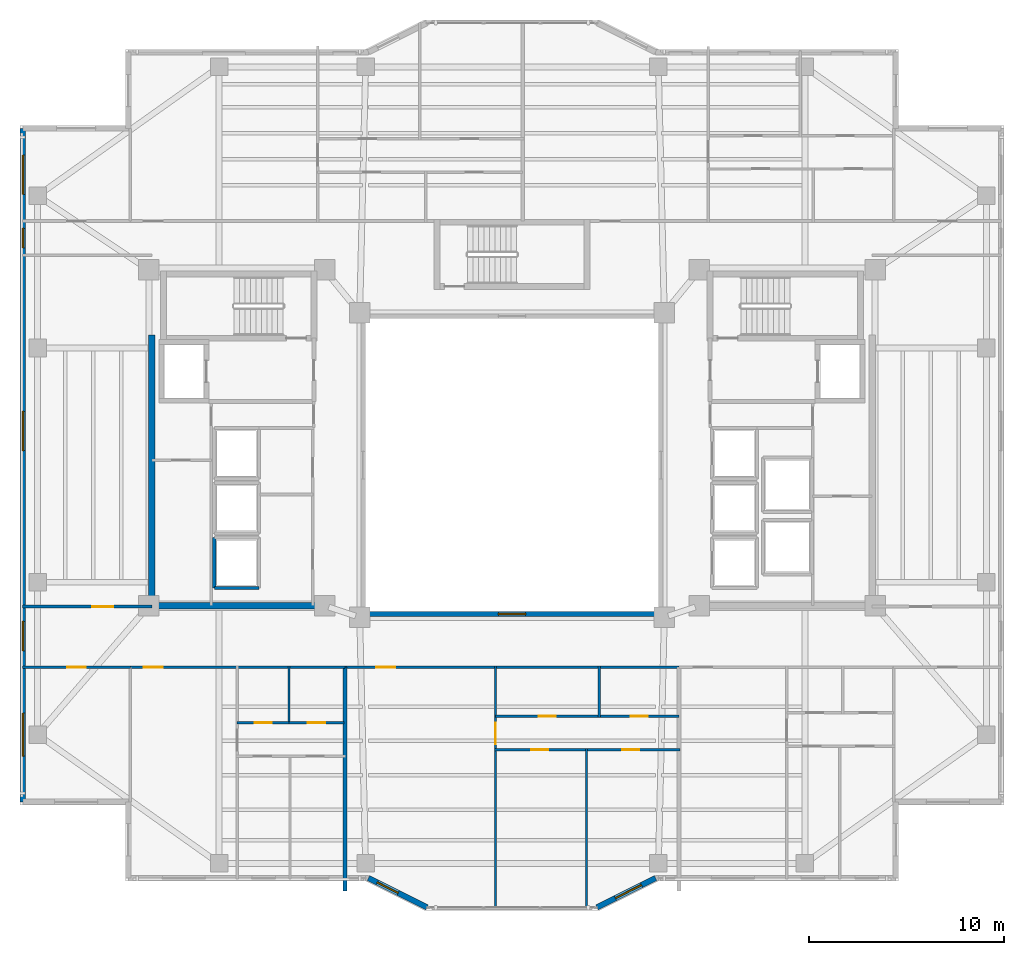
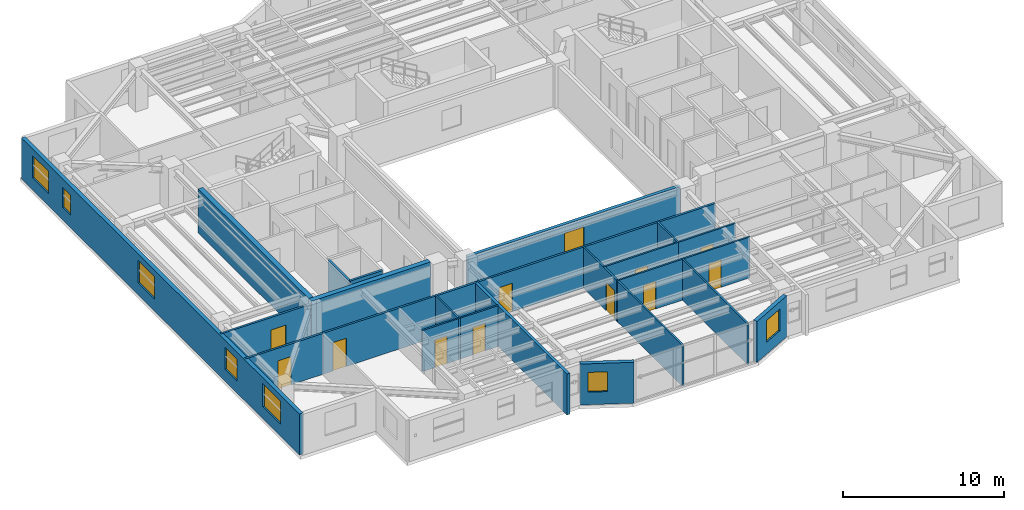
# One storey, part 6 of 15: 22 walls, 11 doors, 8 windows, 19 openings.
"""IFC4 building model written with IfcOpenShell, lengths in metres."""

from ifc_helpers import new_model, si_unit, direction, frame, frame_2d, origin, place, context, subcontext, project, spatial, rectangle, extrude, material, layer, layer_set, type_object, element, fill, save


model = new_model("IFC4")

# Units and contexts
model_context = context("Model", 3, precision=1e-05, world=origin(), true_north=direction((0.0, 1.0)))
body_context = subcontext(model_context, "Body", "Model", "MODEL_VIEW")
ifc_project = project(units=[si_unit("LENGTHUNIT", "METRE"), si_unit("AREAUNIT", "SQUARE_METRE"), si_unit("VOLUMEUNIT", "CUBIC_METRE"), si_unit("PLANEANGLEUNIT", "RADIAN"), si_unit("MASSUNIT", "GRAM", prefix="KILO")], contexts=[model_context])

# Site, building, storey
site_placement = place(None, origin())
site = spatial("IfcSite", under=ifc_project, at=site_placement, CompositionType="ELEMENT")
building_placement = place(site_placement, origin())
building = spatial("IfcBuilding", under=site, at=building_placement, Name="Tarnavaz Court Tower", CompositionType="ELEMENT")
storey_placement = place(building_placement, frame((0.0, 0.0, 159.39990234375)))
storey = spatial("IfcBuildingStorey", under=building, at=storey_placement, Name="L43", CompositionType="ELEMENT", Elevation=159.39990234375)

# Walls
ifc_material_1 = material(Name="Concrete C50/60", Category="concrete")
ifc_layer_1 = layer(ifc_material_1, 0.35009765625)
ifc_layer_set_1 = layer_set([ifc_layer_1], Name="Concrete C50/60")
wall_type_1 = type_object("IfcWallType", Name="WL-CORE-350-C50", PredefinedType="SHEAR", material=ifc_layer_set_1)
wall_1_placement = place(storey_placement, frame((-18.449951171875, -7.375, 0.0), z_axis=(0.0, 0.0, 1.0), x_axis=(0.0, 1.0, 0.0)))
element("IfcWall", 1, at=wall_1_placement, inside=storey, type_object=wall_type_1, Name="L43 West Core Shear Wall 057", PredefinedType="SHEAR", context=body_context, shape_type="SweptSolid", body=[
    extrude(rectangle(XDim=14.050048828125, YDim=0.35009765625, at=frame_2d((7.02490234375, 0.0))), origin(), (0.0, 0.0, 1.0), 3.35009765625),
])
wall_2_placement = place(storey_placement, frame((-18.625, -7.199951171875, 0.0), z_axis=(0.0, 0.0, 1.0), x_axis=(1.0, 0.0, 0.0)))
element("IfcWall", 2, at=wall_2_placement, inside=storey, type_object=wall_type_1, Name="L43 West Core South Shear Wall 058", PredefinedType="SHEAR", context=body_context, shape_type="SweptSolid", body=[
    extrude(rectangle(XDim=8.550048828125, YDim=0.35009765625, at=frame_2d((4.27490234375, 0.0))), origin(), (0.0, 0.0, 1.0), 3.35009765625),
])

# Wall, openings, windows
ifc_material_2 = material(Name="Precast Concrete C40/50", Category="concrete")
ifc_layer_2 = layer(ifc_material_2, 0.280029296875)
ifc_layer_set_2 = layer_set([ifc_layer_2], Name="Precast Concrete C40/50")
wall_type_2 = type_object("IfcWallType", Name="WL-EXT-280", PredefinedType="SOLIDWALL", material=ifc_layer_set_2)
wall_3_placement = place(storey_placement, frame((-25.050048828125, -17.25, 0.0), z_axis=(0.0, 0.0, 1.0), x_axis=(0.0, 1.0, 0.0)))
wall_3 = element("IfcWall", 3, at=wall_3_placement, inside=storey, type_object=wall_type_2, Name="L43 Exterior Terracotta Facade Wall 02", PredefinedType="SOLIDWALL", context=body_context, shape_type="SweptSolid", body=[
    extrude(rectangle(XDim=34.5, YDim=0.280029296875, at=frame_2d((17.25, 0.0))), origin(), (0.0, 0.0, 1.0), 3.10009765625),
])
opening_1_placement = place(wall_3_placement, frame((2.35009765625, 0.0, 0.89990234375)))
opening_1 = element("IfcOpeningElement", 4, at=opening_1_placement, cuts=wall_3, Name="Opening W07", PredefinedType="OPENING", context=body_context, shape_type="SweptSolid", body=[
    extrude(rectangle(XDim=2.199951171875, YDim=1.75, at=frame_2d((1.10009765625, 0.875))), frame((0.0, 0.14990234375, 0.0), z_axis=(0.0, -1.0, 0.0), x_axis=(1.0, 0.0, 0.0)), (0.0, 0.0, 1.0), 0.300048828125),
])
opening_2_placement = place(wall_3_placement, frame((7.742431640625, 0.0, 0.89990234375)))
opening_2 = element("IfcOpeningElement", 5, at=opening_2_placement, cuts=wall_3, Name="Opening W03", PredefinedType="OPENING", context=body_context, shape_type="SweptSolid", body=[
    extrude(rectangle(XDim=1.5, YDim=1.64990234375, at=frame_2d((0.75, 0.824951171875))), frame((0.0, 0.14990234375, 0.0), z_axis=(0.0, -1.0, 0.0), x_axis=(1.0, 0.0, 0.0)), (0.0, 0.0, 1.0), 0.300048828125),
])
opening_3_placement = place(wall_3_placement, frame((18.0, 0.0, 0.89990234375)))
opening_3 = element("IfcOpeningElement", 6, at=opening_3_placement, cuts=wall_3, Name="Opening W08", PredefinedType="OPENING", context=body_context, shape_type="SweptSolid", body=[
    extrude(rectangle(XDim=2.0, YDim=1.699951171875, at=frame_2d((1.0, 0.85009765625))), frame((0.0, 0.14990234375, 0.0), z_axis=(0.0, -1.0, 0.0), x_axis=(1.0, 0.0, 0.0)), (0.0, 0.0, 1.0), 0.300048828125),
])
opening_4_placement = place(wall_3_placement, frame((28.375, 0.0, 0.949951171875)))
opening_4 = element("IfcOpeningElement", 7, at=opening_4_placement, cuts=wall_3, Name="Opening W14", PredefinedType="OPENING", context=body_context, shape_type="SweptSolid", body=[
    extrude(rectangle(XDim=1.0, YDim=1.5, at=frame_2d((0.5, 0.75))), frame((0.0, 0.14990234375, 0.0), z_axis=(0.0, -1.0, 0.0), x_axis=(1.0, 0.0, 0.0)), (0.0, 0.0, 1.0), 0.300048828125),
])
opening_5_placement = place(wall_3_placement, frame((31.125, 0.0, 0.89990234375)))
opening_5 = element("IfcOpeningElement", 8, at=opening_5_placement, cuts=wall_3, Name="Opening W08", PredefinedType="OPENING", context=body_context, shape_type="SweptSolid", body=[
    extrude(rectangle(XDim=2.0, YDim=1.699951171875, at=frame_2d((1.0, 0.85009765625))), frame((0.0, 0.14990234375, 0.0), z_axis=(0.0, -1.0, 0.0), x_axis=(1.0, 0.0, 0.0)), (0.0, 0.0, 1.0), 0.300048828125),
])
ifc_material_3 = material(Name="Double-Glazed Solar Low-E Glass", Category="glass")
window_type_1 = type_object("IfcWindowType", Name="WN-APT-1000", PartitioningType="SINGLE_PANEL", PredefinedType="WINDOW", material=ifc_material_3)
window_1_placement = place(opening_4_placement, origin())
window_1 = element("IfcWindow", 9, at=window_1_placement, inside=storey, type_object=window_type_1, Name="L43 North-West Corner Corridor Window", OverallHeight=1.5, OverallWidth=1.0, PartitioningType="SINGLE_PANEL", PredefinedType="WINDOW", context=body_context, shape_type="SweptSolid", body=[
    extrude(rectangle(XDim=1.0, YDim=1.5, at=frame_2d((0.5, 0.75))), frame((0.0, 0.030029296875, 0.0), z_axis=(0.0, -1.0, 0.0), x_axis=(1.0, 0.0, 0.0)), (0.0, 0.0, 1.0), 0.06005859375),
])
fill(opening_4, window_1)
window_type_2 = type_object("IfcWindowType", Name="WN-APT-1500", PartitioningType="DOUBLE_PANEL_VERTICAL", PredefinedType="WINDOW", material=ifc_material_3)
window_2_placement = place(opening_2_placement, origin())
window_2 = element("IfcWindow", 10, at=window_2_placement, inside=storey, type_object=window_type_2, Name="L43 South-West Corner Corridor Window", OverallHeight=1.64990234375, OverallWidth=1.5, PartitioningType="SINGLE_PANEL", PredefinedType="WINDOW", context=body_context, shape_type="SweptSolid", body=[
    extrude(rectangle(XDim=1.5, YDim=1.64990234375, at=frame_2d((0.75, 0.824951171875))), frame((0.0, 0.030029296875, 0.0), z_axis=(0.0, -1.0, 0.0), x_axis=(1.0, 0.0, 0.0)), (0.0, 0.0, 1.0), 0.06005859375),
])
fill(opening_2, window_2)
window_type_3 = type_object("IfcWindowType", Name="WN-APT-2000", PartitioningType="DOUBLE_PANEL_VERTICAL", PredefinedType="WINDOW", material=ifc_material_3)
window_3_placement = place(opening_3_placement, origin())
window_3 = element("IfcWindow", 11, at=window_3_placement, inside=storey, type_object=window_type_3, Name="L43 West Wing Panoramic Study Gallery Window", OverallHeight=1.699951171875, OverallWidth=2.0, PartitioningType="SINGLE_PANEL", PredefinedType="WINDOW", context=body_context, shape_type="SweptSolid", body=[
    extrude(rectangle(XDim=2.0, YDim=1.699951171875, at=frame_2d((1.0, 0.85009765625))), frame((0.0, 0.030029296875, 0.0), z_axis=(0.0, -1.0, 0.0), x_axis=(1.0, 0.0, 0.0)), (0.0, 0.0, 1.0), 0.06005859375),
])
fill(opening_3, window_3)
window_4_placement = place(opening_5_placement, origin())
window_4 = element("IfcWindow", 12, at=window_4_placement, inside=storey, type_object=window_type_3, Name="L43 North-West Corner Sunroom Study Window", OverallHeight=1.699951171875, OverallWidth=2.0, PartitioningType="SINGLE_PANEL", PredefinedType="WINDOW", context=body_context, shape_type="SweptSolid", body=[
    extrude(rectangle(XDim=2.0, YDim=1.699951171875, at=frame_2d((1.0, 0.85009765625))), frame((0.0, 0.030029296875, 0.0), z_axis=(0.0, -1.0, 0.0), x_axis=(1.0, 0.0, 0.0)), (0.0, 0.0, 1.0), 0.06005859375),
])
fill(opening_5, window_4)
window_type_4 = type_object("IfcWindowType", Name="WN-APT-2200", PartitioningType="TRIPLE_PANEL_VERTICAL", PredefinedType="WINDOW", material=ifc_material_3)
window_5_placement = place(opening_1_placement, origin())
window_5 = element("IfcWindow", 13, at=window_5_placement, inside=storey, type_object=window_type_4, Name="L43 South-West Corner Reading Room Window", OverallHeight=1.75, OverallWidth=2.199951171875, PartitioningType="SINGLE_PANEL", PredefinedType="WINDOW", context=body_context, shape_type="SweptSolid", body=[
    extrude(rectangle(XDim=2.199951171875, YDim=1.75, at=frame_2d((1.10009765625, 0.875))), frame((0.0, 0.030029296875, 0.0), z_axis=(0.0, -1.0, 0.0), x_axis=(1.0, 0.0, 0.0)), (0.0, 0.0, 1.0), 0.06005859375),
])
fill(opening_1, window_5)

# Wall, opening, window
wall_4_placement = place(storey_placement, frame((7.35009765625, -21.14990234375, 0.0), z_axis=(0.0, 0.0, 1.0), x_axis=(-0.894427191, -0.4472135955, 0.0)))
wall_4 = element("IfcWall", 14, at=wall_4_placement, inside=storey, type_object=wall_type_2, Name="L43 Exterior Terracotta Facade Wall 16", PredefinedType="SOLIDWALL", context=body_context, shape_type="SweptSolid", body=[
    extrude(rectangle(XDim=3.35400390625, YDim=0.280029296875, at=frame_2d((1.677001953125, 0.0))), origin(), (0.0, 0.0, 1.0), 3.10009765625),
])
opening_6_placement = place(wall_4_placement, frame((0.796875, 0.0, 0.89990234375)))
opening_6 = element("IfcOpeningElement", 15, at=opening_6_placement, cuts=wall_4, Name="Opening W03", PredefinedType="OPENING", context=body_context, shape_type="SweptSolid", body=[
    extrude(rectangle(XDim=1.5, YDim=1.64990234375, at=frame_2d((0.75, 0.824951171875))), frame((0.0, 0.14990234375, 0.0), z_axis=(0.0, -1.0, 0.0), x_axis=(1.0, 0.0, 0.0)), (0.0, 0.0, 1.0), 0.300048828125),
])
window_6_placement = place(opening_6_placement, origin())
window_6 = element("IfcWindow", 16, at=window_6_placement, inside=storey, type_object=window_type_2, Name="L43 Flat 05 Bedroom 2 Window", OverallHeight=1.64990234375, OverallWidth=1.5, PartitioningType="SINGLE_PANEL", PredefinedType="WINDOW", context=body_context, shape_type="SweptSolid", body=[
    extrude(rectangle(XDim=1.5, YDim=1.64990234375, at=frame_2d((0.75, 0.824951171875))), frame((0.0, 0.030029296875, 0.0), z_axis=(0.0, -1.0, 0.0), x_axis=(1.0, 0.0, 0.0)), (0.0, 0.0, 1.0), 0.06005859375),
])
fill(opening_6, window_6)

wall_5_placement = place(storey_placement, frame((-4.35009765625, -22.64990234375, 0.0), z_axis=(0.0, 0.0, 1.0), x_axis=(-0.894427191, 0.4472135955, 0.0)))
wall_5 = element("IfcWall", 17, at=wall_5_placement, inside=storey, type_object=wall_type_2, Name="L43 Exterior Terracotta Facade Wall 18", PredefinedType="SOLIDWALL", context=body_context, shape_type="SweptSolid", body=[
    extrude(rectangle(XDim=3.35400390625, YDim=0.280029296875, at=frame_2d((1.677001953125, 0.0))), origin(), (0.0, 0.0, 1.0), 3.10009765625),
])
opening_7_placement = place(wall_5_placement, frame((1.65283203125, 0.0, 0.949951171875)))
opening_7 = element("IfcOpeningElement", 18, at=opening_7_placement, cuts=wall_5, Name="Opening W05", PredefinedType="OPENING", context=body_context, shape_type="SweptSolid", body=[
    extrude(rectangle(XDim=1.199951171875, YDim=1.5, at=frame_2d((0.60009765625, 0.75))), frame((0.0, 0.14990234375, 0.0), z_axis=(0.0, -1.0, 0.0), x_axis=(1.0, 0.0, 0.0)), (0.0, 0.0, 1.0), 0.300048828125),
])
window_type_5 = type_object("IfcWindowType", Name="WN-APT-1200", PartitioningType="SINGLE_PANEL", PredefinedType="WINDOW", material=ifc_material_3)
window_7_placement = place(opening_7_placement, origin())
window_7 = element("IfcWindow", 19, at=window_7_placement, inside=storey, type_object=window_type_5, Name="L43 Flat 05 Living and Dining Room Window", OverallHeight=1.5, OverallWidth=1.199951171875, PartitioningType="SINGLE_PANEL", PredefinedType="WINDOW", context=body_context, shape_type="SweptSolid", body=[
    extrude(rectangle(XDim=1.199951171875, YDim=1.5, at=frame_2d((0.60009765625, 0.75))), frame((0.0, 0.030029296875, 0.0), z_axis=(0.0, -1.0, 0.0), x_axis=(1.0, 0.0, 0.0)), (0.0, 0.0, 1.0), 0.06005859375),
])
fill(opening_7, window_7)

# Wall, opening, door
ifc_material_4 = material(Name="Gypsum Fire-Board on Acoustic Metal Stud", Category="masonry")
ifc_layer_3 = layer(ifc_material_4, 0.14990234375)
ifc_layer_set_3 = layer_set([ifc_layer_3], Name="Gypsum Fire-Board on Acoustic Metal Stud")
wall_type_3 = type_object("IfcWallType", Name="WL-FIRE-150", PredefinedType="PARTITIONING", material=ifc_layer_set_3)
wall_6_placement = place(storey_placement, frame((-19.550048828125, -10.35009765625, 0.0), z_axis=(0.0, 0.0, 1.0), x_axis=(1.0, 0.0, 0.0)))
wall_6 = element("IfcWall", 20, at=wall_6_placement, inside=storey, type_object=wall_type_3, Name="L43 SW Horseshoe Wall 073", PredefinedType="PARTITIONING", context=body_context, shape_type="SweptSolid", body=[
    extrude(rectangle(XDim=11.0, YDim=0.14990234375, at=frame_2d((5.5, 0.0))), origin(), (0.0, 0.0, 1.0), 3.10009765625),
])
opening_8_placement = place(wall_6_placement, frame((0.699951171875, 0.0, 0.0)))
opening_8 = element("IfcOpeningElement", 21, at=opening_8_placement, cuts=wall_6, Name="Opening D06", PredefinedType="OPENING", context=body_context, shape_type="SweptSolid", body=[
    extrude(rectangle(XDim=0.9599609375, YDim=2.14990234375, at=frame_2d((0.47998046875, 1.074951171875))), frame((0.0, 0.0849609375, 0.0), z_axis=(0.0, -1.0, 0.0), x_axis=(1.0, 0.0, 0.0)), (0.0, 0.0, 1.0), 0.169921875),
])
ifc_material_5 = material(Name="Fire-Rated Hardwood Timber Core", Category="wood")
door_type_1 = type_object("IfcDoorType", Name="DR-FD60-950", OperationType="NOTDEFINED", PredefinedType="DOOR", material=ifc_material_5)
door_1_placement = place(opening_8_placement, origin())
door_1 = element("IfcDoor", 22, at=door_1_placement, inside=storey, type_object=door_type_1, Name="L43 Flat 03 Entrance Door", OperationType="SINGLE_SWING_LEFT", OverallHeight=2.14990234375, OverallWidth=0.9599609375, PredefinedType="DOOR", context=body_context, shape_type="SweptSolid", body=[
    extrude(rectangle(XDim=0.9599609375, YDim=2.14990234375, at=frame_2d((0.47998046875, 1.074951171875))), frame((0.0, 0.02490234375, 0.0), z_axis=(0.0, -1.0, 0.0), x_axis=(1.0, 0.0, 0.0)), (0.0, 0.0, 1.0), 0.050048828125),
])
fill(opening_8, door_1)

wall_7_placement = place(storey_placement, frame((-8.550048828125, -10.35009765625, 0.0), z_axis=(0.0, 0.0, 1.0), x_axis=(1.0, 0.0, 0.0)))
wall_7 = element("IfcWall", 23, at=wall_7_placement, inside=storey, type_object=wall_type_3, Name="L43 Interior Partition 102", PredefinedType="PARTITIONING", context=body_context, shape_type="SweptSolid", body=[
    extrude(rectangle(XDim=17.10009765625, YDim=0.14990234375, at=frame_2d((8.550048828125, 0.0))), origin(), (0.0, 0.0, 1.0), 3.10009765625),
])
opening_9_placement = place(wall_7_placement, frame((1.60009765625, 0.0, 0.0)))
opening_9 = element("IfcOpeningElement", 24, at=opening_9_placement, cuts=wall_7, Name="Opening D06", PredefinedType="OPENING", context=body_context, shape_type="SweptSolid", body=[
    extrude(rectangle(XDim=0.9599609375, YDim=2.14990234375, at=frame_2d((0.47998046875, 1.074951171875))), frame((0.0, 0.0849609375, 0.0), z_axis=(0.0, -1.0, 0.0), x_axis=(1.0, 0.0, 0.0)), (0.0, 0.0, 1.0), 0.169921875),
])
door_2_placement = place(opening_9_placement, origin())
door_2 = element("IfcDoor", 25, at=door_2_placement, inside=storey, type_object=door_type_1, Name="L43 Flat 05 Entrance Door", OperationType="SINGLE_SWING_LEFT", OverallHeight=2.14990234375, OverallWidth=0.9599609375, PredefinedType="DOOR", context=body_context, shape_type="SweptSolid", body=[
    extrude(rectangle(XDim=0.9599609375, YDim=2.14990234375, at=frame_2d((0.47998046875, 1.074951171875))), frame((0.0, 0.02490234375, 0.0), z_axis=(0.0, -1.0, 0.0), x_axis=(1.0, 0.0, 0.0)), (0.0, 0.0, 1.0), 0.050048828125),
])
fill(opening_9, door_2)

wall_8_placement = place(storey_placement, frame((-25.080078125, -7.25, 0.0), z_axis=(0.0, 0.0, 1.0), x_axis=(1.0, 0.0, 0.0)))
wall_8 = element("IfcWall", 26, at=wall_8_placement, inside=storey, type_object=wall_type_3, Name="L43 Interior Partition 109", PredefinedType="PARTITIONING", context=body_context, shape_type="SweptSolid", body=[
    extrude(rectangle(XDim=6.630126953125, YDim=0.14990234375, at=frame_2d((3.31494140625, 0.0))), origin(), (0.0, 0.0, 1.0), 3.10009765625),
])
opening_10_placement = place(wall_8_placement, frame((3.580078125, 0.0, 0.0)))
opening_10 = element("IfcOpeningElement", 27, at=opening_10_placement, cuts=wall_8, Name="Opening D12", PredefinedType="OPENING", context=body_context, shape_type="SweptSolid", body=[
    extrude(rectangle(XDim=1.080078125, YDim=2.14990234375, at=frame_2d((0.5400390625, 1.074951171875))), frame((0.0, 0.0849609375, 0.0), z_axis=(0.0, -1.0, 0.0), x_axis=(1.0, 0.0, 0.0)), (0.0, 0.0, 1.0), 0.169921875),
])
ifc_material_6 = material(Name="Engineered Oak Timber", Category="wood")
door_type_2 = type_object("IfcDoorType", Name="DR-INT-1100", OperationType="NOTDEFINED", PredefinedType="DOOR", material=ifc_material_6)
door_3_placement = place(opening_10_placement, origin())
door_3 = element("IfcDoor", 28, at=door_3_placement, inside=storey, type_object=door_type_2, Name="L43 West Study Gallery Door", OperationType="SINGLE_SWING_LEFT", OverallHeight=2.14990234375, OverallWidth=1.080078125, PredefinedType="DOOR", context=body_context, shape_type="SweptSolid", body=[
    extrude(rectangle(XDim=1.080078125, YDim=2.14990234375, at=frame_2d((0.5400390625, 1.074951171875))), frame((0.0, 0.02490234375, 0.0), z_axis=(0.0, -1.0, 0.0), x_axis=(1.0, 0.0, 0.0)), (0.0, 0.0, 1.0), 0.050048828125),
])
fill(opening_10, door_3)

wall_9_placement = place(storey_placement, frame((-25.080078125, -10.35009765625, 0.0), z_axis=(0.0, 0.0, 1.0), x_axis=(1.0, 0.0, 0.0)))
wall_9 = element("IfcWall", 29, at=wall_9_placement, inside=storey, type_object=wall_type_3, Name="L43 Interior Partition 119", PredefinedType="PARTITIONING", context=body_context, shape_type="SweptSolid", body=[
    extrude(rectangle(XDim=5.530029296875, YDim=0.14990234375, at=frame_2d((2.76513671875, 0.0))), origin(), (0.0, 0.0, 1.0), 3.10009765625),
])
opening_11_placement = place(wall_9_placement, frame((2.2900390625, 0.0, 0.0)))
opening_11 = element("IfcOpeningElement", 30, at=opening_11_placement, cuts=wall_9, Name="Opening D13", PredefinedType="OPENING", context=body_context, shape_type="SweptSolid", body=[
    extrude(rectangle(XDim=0.949951171875, YDim=2.14990234375, at=frame_2d((0.47509765625, 1.074951171875))), frame((0.0, 0.0849609375, 0.0), z_axis=(0.0, -1.0, 0.0), x_axis=(1.0, 0.0, 0.0)), (0.0, 0.0, 1.0), 0.169921875),
])
door_type_3 = type_object("IfcDoorType", Name="DR-INT-950", OperationType="NOTDEFINED", PredefinedType="DOOR", material=ifc_material_6)
door_4_placement = place(opening_11_placement, origin())
door_4 = element("IfcDoor", 31, at=door_4_placement, inside=storey, type_object=door_type_3, Name="L43 SW Reading Room Door", OperationType="SINGLE_SWING_LEFT", OverallHeight=2.14990234375, OverallWidth=0.949951171875, PredefinedType="DOOR", context=body_context, shape_type="SweptSolid", body=[
    extrude(rectangle(XDim=0.949951171875, YDim=2.14990234375, at=frame_2d((0.47509765625, 1.074951171875))), frame((0.0, 0.02490234375, 0.0), z_axis=(0.0, -1.0, 0.0), x_axis=(1.0, 0.0, 0.0)), (0.0, 0.0, 1.0), 0.050048828125),
])
fill(opening_11, door_4)

# Wall
ifc_material_7 = material(Name="Autoclaved Aerated Concrete Blockwork", Category="masonry")
ifc_layer_4 = layer(ifc_material_7, 0.199951171875)
ifc_layer_set_4 = layer_set([ifc_layer_4], Name="Autoclaved Aerated Concrete Blockwork")
wall_type_4 = type_object("IfcWallType", Name="WL-FIRE-200", PredefinedType="SOLIDWALL", material=ifc_layer_set_4)
wall_10_placement = place(storey_placement, frame((-8.550048828125, -21.803955078125, 0.0), z_axis=(0.0, 0.0, 1.0), x_axis=(0.0, 1.0, 0.0)))
element("IfcWall", 32, at=wall_10_placement, inside=storey, type_object=wall_type_4, Name="L43 Party Wall 100", PredefinedType="SOLIDWALL", context=body_context, shape_type="SweptSolid", body=[
    extrude(rectangle(XDim=11.453857421875, YDim=0.199951171875, at=frame_2d((5.72705078125, 0.0))), origin(), (0.0, 0.0, 1.0), 3.10009765625),
])

# Wall, opening, door
ifc_material_8 = material(Name="Moisture-Resistant Gypsum Board Partition", Category="masonry")
ifc_layer_5 = layer(ifc_material_8, 0.1201171875)
ifc_layer_set_5 = layer_set([ifc_layer_5], Name="Moisture-Resistant Gypsum Board Partition")
wall_type_5 = type_object("IfcWallType", Name="WL-PART-120", PredefinedType="PARTITIONING", material=ifc_layer_set_5)
wall_11_placement = place(storey_placement, frame((-14.074951171875, -13.199951171875, 0.0), z_axis=(0.0, 0.0, 1.0), x_axis=(1.0, 0.0, 0.0)))
wall_11 = element("IfcWall", 33, at=wall_11_placement, inside=storey, type_object=wall_type_5, Name="L43 Interior Partition 089", PredefinedType="PARTITIONING", context=body_context, shape_type="SweptSolid", body=[
    extrude(rectangle(XDim=2.65283203125, YDim=0.1201171875, at=frame_2d((1.326416015625, 0.0))), origin(), (0.0, 0.0, 1.0), 3.10009765625),
])
opening_12_placement = place(wall_11_placement, frame((0.885986328125, 0.0, 0.0)))
opening_12 = element("IfcOpeningElement", 34, at=opening_12_placement, cuts=wall_11, Name="Opening D14", PredefinedType="OPENING", context=body_context, shape_type="SweptSolid", body=[
    extrude(rectangle(XDim=0.8798828125, YDim=2.10009765625, at=frame_2d((0.43994140625, 1.050048828125))), frame((0.0, 0.070068359375, 0.0), z_axis=(0.0, -1.0, 0.0), x_axis=(1.0, 0.0, 0.0)), (0.0, 0.0, 1.0), 0.14013671875),
])
door_type_4 = type_object("IfcDoorType", Name="DR-INT-900", OperationType="NOTDEFINED", PredefinedType="DOOR", material=ifc_material_6)
door_5_placement = place(opening_12_placement, origin())
door_5 = element("IfcDoor", 35, at=door_5_placement, inside=storey, type_object=door_type_4, Name="L43 Flat 03 Kitchen Door", OperationType="SINGLE_SWING_LEFT", OverallHeight=2.10009765625, OverallWidth=0.8798828125, PredefinedType="DOOR", context=body_context, shape_type="SweptSolid", body=[
    extrude(rectangle(XDim=0.8798828125, YDim=2.10009765625, at=frame_2d((0.43994140625, 1.050048828125))), frame((0.0, 0.02490234375, 0.0), z_axis=(0.0, -1.0, 0.0), x_axis=(1.0, 0.0, 0.0)), (0.0, 0.0, 1.0), 0.050048828125),
])
fill(opening_12, door_5)

wall_12_placement = place(storey_placement, frame((-11.422119140625, -13.199951171875, 0.0), z_axis=(0.0, 0.0, 1.0), x_axis=(1.0, 0.0, 0.0)))
wall_12 = element("IfcWall", 36, at=wall_12_placement, inside=storey, type_object=wall_type_5, Name="L43 Interior Partition 090", PredefinedType="PARTITIONING", context=body_context, shape_type="SweptSolid", body=[
    extrude(rectangle(XDim=2.822021484375, YDim=0.1201171875, at=frame_2d((1.4111328125, 0.0))), origin(), (0.0, 0.0, 1.0), 3.10009765625),
])
opening_13_placement = place(wall_12_placement, frame((0.970947265625, 0.0, 0.0)))
opening_13 = element("IfcOpeningElement", 37, at=opening_13_placement, cuts=wall_12, Name="Opening D14", PredefinedType="OPENING", context=body_context, shape_type="SweptSolid", body=[
    extrude(rectangle(XDim=0.8798828125, YDim=2.10009765625, at=frame_2d((0.43994140625, 1.050048828125))), frame((0.0, 0.070068359375, 0.0), z_axis=(0.0, -1.0, 0.0), x_axis=(1.0, 0.0, 0.0)), (0.0, 0.0, 1.0), 0.14013671875),
])
door_6_placement = place(opening_13_placement, origin())
door_6 = element("IfcDoor", 38, at=door_6_placement, inside=storey, type_object=door_type_4, Name="L43 Flat 03 Bathroom Door", OperationType="SINGLE_SWING_RIGHT", OverallHeight=2.10009765625, OverallWidth=0.8798828125, PredefinedType="DOOR", context=body_context, shape_type="SweptSolid", body=[
    extrude(rectangle(XDim=0.8798828125, YDim=2.10009765625, at=frame_2d((0.43994140625, 1.050048828125))), frame((0.0, 0.02490234375, 0.0), z_axis=(0.0, -1.0, 0.0), x_axis=(1.0, 0.0, 0.0)), (0.0, 0.0, 1.0), 0.050048828125),
])
fill(opening_13, door_6)

# Wall
wall_13_placement = place(storey_placement, frame((-11.422119140625, -13.260009765625, 0.0), z_axis=(0.0, 0.0, 1.0), x_axis=(0.0, 1.0, 0.0)))
element("IfcWall", 39, at=wall_13_placement, inside=storey, type_object=wall_type_5, Name="L43 Interior Partition 092", PredefinedType="PARTITIONING", context=body_context, shape_type="SweptSolid", body=[
    extrude(rectangle(XDim=2.969970703125, YDim=0.1201171875, at=frame_2d((1.48486328125, 0.0))), origin(), (0.0, 0.0, 1.0), 3.10009765625),
])

# Wall, opening, door
wall_14_placement = place(storey_placement, frame((-0.844970703125, -22.679931640625, 0.0), z_axis=(0.0, 0.0, 1.0), x_axis=(0.0, 1.0, 0.0)))
wall_14 = element("IfcWall", 40, at=wall_14_placement, inside=storey, type_object=wall_type_5, Name="L43 Interior Partition 103", PredefinedType="PARTITIONING", context=body_context, shape_type="SweptSolid", body=[
    extrude(rectangle(XDim=12.389892578125, YDim=0.1201171875, at=frame_2d((6.19482421875, 0.0))), origin(), (0.0, 0.0, 1.0), 3.10009765625),
])
opening_14_placement = place(wall_14_placement, frame((8.39501953125, 0.0, 0.0)))
opening_14 = element("IfcOpeningElement", 41, at=opening_14_placement, cuts=wall_14, Name="Opening D12", PredefinedType="OPENING", context=body_context, shape_type="SweptSolid", body=[
    extrude(rectangle(XDim=1.080078125, YDim=2.14990234375, at=frame_2d((0.5400390625, 1.074951171875))), frame((0.0, 0.070068359375, 0.0), z_axis=(0.0, -1.0, 0.0), x_axis=(1.0, 0.0, 0.0)), (0.0, 0.0, 1.0), 0.14013671875),
])
door_7_placement = place(opening_14_placement, origin())
door_7 = element("IfcDoor", 42, at=door_7_placement, inside=storey, type_object=door_type_2, Name="L43 Flat 05 Foyer Door", OperationType="SINGLE_SWING_RIGHT", OverallHeight=2.14990234375, OverallWidth=1.080078125, PredefinedType="DOOR", context=body_context, shape_type="SweptSolid", body=[
    extrude(rectangle(XDim=1.080078125, YDim=2.14990234375, at=frame_2d((0.5400390625, 1.074951171875))), frame((0.0, 0.02490234375, 0.0), z_axis=(0.0, -1.0, 0.0), x_axis=(1.0, 0.0, 0.0)), (0.0, 0.0, 1.0), 0.050048828125),
])
fill(opening_14, door_7)

wall_15_placement = place(storey_placement, frame((-0.844970703125, -12.860107421875, 0.0), z_axis=(0.0, 0.0, 1.0), x_axis=(1.0, 0.0, 0.0)))
wall_15 = element("IfcWall", 43, at=wall_15_placement, inside=storey, type_object=wall_type_5, Name="L43 Interior Partition 104", PredefinedType="PARTITIONING", context=body_context, shape_type="SweptSolid", body=[
    extrude(rectangle(XDim=5.31494140625, YDim=0.1201171875, at=frame_2d((2.657470703125, 0.0))), origin(), (0.0, 0.0, 1.0), 3.10009765625),
])
opening_15_placement = place(wall_15_placement, frame((2.217041015625, 0.0, 0.0)))
opening_15 = element("IfcOpeningElement", 44, at=opening_15_placement, cuts=wall_15, Name="Opening D14", PredefinedType="OPENING", context=body_context, shape_type="SweptSolid", body=[
    extrude(rectangle(XDim=0.8798828125, YDim=2.10009765625, at=frame_2d((0.43994140625, 1.050048828125))), frame((0.0, 0.070068359375, 0.0), z_axis=(0.0, -1.0, 0.0), x_axis=(1.0, 0.0, 0.0)), (0.0, 0.0, 1.0), 0.14013671875),
])
door_8_placement = place(opening_15_placement, origin())
door_8 = element("IfcDoor", 45, at=door_8_placement, inside=storey, type_object=door_type_4, Name="L43 Flat 05 Kitchen Door", OperationType="SINGLE_SWING_LEFT", OverallHeight=2.10009765625, OverallWidth=0.8798828125, PredefinedType="DOOR", context=body_context, shape_type="SweptSolid", body=[
    extrude(rectangle(XDim=0.8798828125, YDim=2.10009765625, at=frame_2d((0.43994140625, 1.050048828125))), frame((0.0, 0.02490234375, 0.0), z_axis=(0.0, -1.0, 0.0), x_axis=(1.0, 0.0, 0.0)), (0.0, 0.0, 1.0), 0.050048828125),
])
fill(opening_15, door_8)

wall_16_placement = place(storey_placement, frame((4.469970703125, -12.860107421875, 0.0), z_axis=(0.0, 0.0, 1.0), x_axis=(1.0, 0.0, 0.0)))
wall_16 = element("IfcWall", 46, at=wall_16_placement, inside=storey, type_object=wall_type_5, Name="L43 Interior Partition 105", PredefinedType="PARTITIONING", context=body_context, shape_type="SweptSolid", body=[
    extrude(rectangle(XDim=4.080078125, YDim=0.1201171875, at=frame_2d((2.0400390625, 0.0))), origin(), (0.0, 0.0, 1.0), 3.10009765625),
])
opening_16_placement = place(wall_16_placement, frame((1.60009765625, 0.0, 0.0)))
opening_16 = element("IfcOpeningElement", 47, at=opening_16_placement, cuts=wall_16, Name="Opening D14", PredefinedType="OPENING", context=body_context, shape_type="SweptSolid", body=[
    extrude(rectangle(XDim=0.8798828125, YDim=2.10009765625, at=frame_2d((0.43994140625, 1.050048828125))), frame((0.0, 0.070068359375, 0.0), z_axis=(0.0, -1.0, 0.0), x_axis=(1.0, 0.0, 0.0)), (0.0, 0.0, 1.0), 0.14013671875),
])
door_9_placement = place(opening_16_placement, origin())
door_9 = element("IfcDoor", 48, at=door_9_placement, inside=storey, type_object=door_type_4, Name="L43 Flat 05 Bathroom Door", OperationType="SINGLE_SWING_RIGHT", OverallHeight=2.10009765625, OverallWidth=0.8798828125, PredefinedType="DOOR", context=body_context, shape_type="SweptSolid", body=[
    extrude(rectangle(XDim=0.8798828125, YDim=2.10009765625, at=frame_2d((0.43994140625, 1.050048828125))), frame((0.0, 0.02490234375, 0.0), z_axis=(0.0, -1.0, 0.0), x_axis=(1.0, 0.0, 0.0)), (0.0, 0.0, 1.0), 0.050048828125),
])
fill(opening_16, door_9)

# Wall, openings, doors
wall_17_placement = place(storey_placement, frame((-0.905029296875, -14.570068359375, 0.0), z_axis=(0.0, 0.0, 1.0), x_axis=(1.0, 0.0, 0.0)))
wall_17 = element("IfcWall", 49, at=wall_17_placement, inside=storey, type_object=wall_type_5, Name="L43 Interior Partition 106", PredefinedType="PARTITIONING", context=body_context, shape_type="SweptSolid", body=[
    extrude(rectangle(XDim=9.51513671875, YDim=0.1201171875, at=frame_2d((4.757568359375, 0.0))), origin(), (0.0, 0.0, 1.0), 3.10009765625),
])
opening_17_placement = place(wall_17_placement, frame((1.89111328125, 0.0, 0.0)))
opening_17 = element("IfcOpeningElement", 50, at=opening_17_placement, cuts=wall_17, Name="Opening D14", PredefinedType="OPENING", context=body_context, shape_type="SweptSolid", body=[
    extrude(rectangle(XDim=0.8798828125, YDim=2.10009765625, at=frame_2d((0.43994140625, 1.050048828125))), frame((0.0, 0.070068359375, 0.0), z_axis=(0.0, -1.0, 0.0), x_axis=(1.0, 0.0, 0.0)), (0.0, 0.0, 1.0), 0.14013671875),
])
opening_18_placement = place(wall_17_placement, frame((6.553955078125, 0.0, 0.0)))
opening_18 = element("IfcOpeningElement", 51, at=opening_18_placement, cuts=wall_17, Name="Opening D14", PredefinedType="OPENING", context=body_context, shape_type="SweptSolid", body=[
    extrude(rectangle(XDim=0.8798828125, YDim=2.10009765625, at=frame_2d((0.43994140625, 1.050048828125))), frame((0.0, 0.070068359375, 0.0), z_axis=(0.0, -1.0, 0.0), x_axis=(1.0, 0.0, 0.0)), (0.0, 0.0, 1.0), 0.14013671875),
])
door_10_placement = place(opening_17_placement, origin())
door_10 = element("IfcDoor", 52, at=door_10_placement, inside=storey, type_object=door_type_4, Name="L43 Flat 05 Bedroom 1 Door", OperationType="SINGLE_SWING_LEFT", OverallHeight=2.10009765625, OverallWidth=0.8798828125, PredefinedType="DOOR", context=body_context, shape_type="SweptSolid", body=[
    extrude(rectangle(XDim=0.8798828125, YDim=2.10009765625, at=frame_2d((0.43994140625, 1.050048828125))), frame((0.0, 0.02490234375, 0.0), z_axis=(0.0, -1.0, 0.0), x_axis=(1.0, 0.0, 0.0)), (0.0, 0.0, 1.0), 0.050048828125),
])
fill(opening_17, door_10)
door_11_placement = place(opening_18_placement, origin())
door_11 = element("IfcDoor", 53, at=door_11_placement, inside=storey, type_object=door_type_4, Name="L43 Flat 05 Bedroom 2 Door", OperationType="SINGLE_SWING_RIGHT", OverallHeight=2.10009765625, OverallWidth=0.8798828125, PredefinedType="DOOR", context=body_context, shape_type="SweptSolid", body=[
    extrude(rectangle(XDim=0.8798828125, YDim=2.10009765625, at=frame_2d((0.43994140625, 1.050048828125))), frame((0.0, 0.02490234375, 0.0), z_axis=(0.0, -1.0, 0.0), x_axis=(1.0, 0.0, 0.0)), (0.0, 0.0, 1.0), 0.050048828125),
])
fill(opening_18, door_11)

# Walls
wall_18_placement = place(storey_placement, frame((4.469970703125, -12.919921875, 0.0), z_axis=(0.0, 0.0, 1.0), x_axis=(0.0, 1.0, 0.0)))
element("IfcWall", 54, at=wall_18_placement, inside=storey, type_object=wall_type_5, Name="L43 Interior Partition 107", PredefinedType="PARTITIONING", context=body_context, shape_type="SweptSolid", body=[
    extrude(rectangle(XDim=2.6298828125, YDim=0.1201171875, at=frame_2d((1.31494140625, 0.0))), origin(), (0.0, 0.0, 1.0), 3.10009765625),
])
wall_19_placement = place(storey_placement, frame((3.818115234375, -22.679931640625, 0.0), z_axis=(0.0, 0.0, 1.0), x_axis=(0.0, 1.0, 0.0)))
element("IfcWall", 55, at=wall_19_placement, inside=storey, type_object=wall_type_5, Name="L43 Interior Partition 108", PredefinedType="PARTITIONING", context=body_context, shape_type="SweptSolid", body=[
    extrude(rectangle(XDim=8.169921875, YDim=0.1201171875, at=frame_2d((4.0849609375, 0.0))), origin(), (0.0, 0.0, 1.0), 3.10009765625),
])
ifc_layer_6 = layer(ifc_material_7, 0.159912109375)
ifc_layer_set_6 = layer_set([ifc_layer_6], Name="Autoclaved Aerated Concrete Blockwork")
wall_type_6 = type_object("IfcWallType", Name="WL-SHAFT-150", PredefinedType="SOLIDWALL", material=ifc_layer_set_6)
wall_20_placement = place(storey_placement, frame((-15.25, -6.300048828125, 0.0), z_axis=(0.0, 0.0, 1.0), x_axis=(0.0, 1.0, 0.0)))
element("IfcWall", 56, at=wall_20_placement, inside=storey, type_object=wall_type_6, Name="L43 Lift PL-H1 Shaft Wall 021", PredefinedType="SOLIDWALL", context=body_context, shape_type="SweptSolid", body=[
    extrude(rectangle(XDim=2.60009765625, YDim=0.159912109375, at=frame_2d((1.300048828125, 0.0))), origin(), (0.0, 0.0, 1.0), 3.10009765625),
])
wall_21_placement = place(storey_placement, frame((-15.25, -6.300048828125, 0.0), z_axis=(0.0, 0.0, 1.0), x_axis=(1.0, 0.0, 0.0)))
element("IfcWall", 57, at=wall_21_placement, inside=storey, type_object=wall_type_6, Name="L43 Lift PL-H1 Shaft Wall 023", PredefinedType="SOLIDWALL", context=body_context, shape_type="SweptSolid", body=[
    extrude(rectangle(XDim=2.300048828125, YDim=0.159912109375, at=frame_2d((1.14990234375, 0.0))), origin(), (0.0, 0.0, 1.0), 3.10009765625),
])

# Wall, opening, window
ifc_layer_7 = layer(ifc_material_2, 0.239990234375)
ifc_layer_set_7 = layer_set([ifc_layer_7], Name="Precast Concrete C40/50")
wall_type_7 = type_object("IfcWallType", Name="WL-WELL-240", PredefinedType="SOLIDWALL", material=ifc_layer_set_7)
wall_22_placement = place(storey_placement, frame((-7.6201171875, -7.6201171875, 0.0), z_axis=(0.0, 0.0, 1.0), x_axis=(1.0, 0.0, 0.0)))
wall_22 = element("IfcWall", 58, at=wall_22_placement, inside=storey, type_object=wall_type_7, Name="L43 Badgir Light-Well Exterior Wall S", PredefinedType="SOLIDWALL", context=body_context, shape_type="SweptSolid", body=[
    extrude(rectangle(XDim=15.240234375, YDim=0.239990234375, at=frame_2d((7.6201171875, 0.0))), origin(), (0.0, 0.0, 1.0), 3.10009765625),
])
opening_19_placement = place(wall_22_placement, frame((6.919921875, 0.0, 0.949951171875)))
opening_19 = element("IfcOpeningElement", 59, at=opening_19_placement, cuts=wall_22, Name="Opening W13", PredefinedType="OPENING", context=body_context, shape_type="SweptSolid", body=[
    extrude(rectangle(XDim=1.39990234375, YDim=1.5, at=frame_2d((0.699951171875, 0.75))), frame((0.0, 0.1298828125, 0.0), z_axis=(0.0, -1.0, 0.0), x_axis=(1.0, 0.0, 0.0)), (0.0, 0.0, 1.0), 0.260009765625),
])
window_type_6 = type_object("IfcWindowType", Name="WN-WEL-1400", PartitioningType="SINGLE_PANEL", PredefinedType="WINDOW", material=ifc_material_3)
window_8_placement = place(opening_19_placement, origin())
window_8 = element("IfcWindow", 60, at=window_8_placement, inside=storey, type_object=window_type_6, Name="L43 Courtyard Gallery Window S", OverallHeight=1.5, OverallWidth=1.39990234375, PartitioningType="SINGLE_PANEL", PredefinedType="WINDOW", context=body_context, shape_type="SweptSolid", body=[
    extrude(rectangle(XDim=1.39990234375, YDim=1.5, at=frame_2d((0.699951171875, 0.75))), frame((0.0, 0.030029296875, 0.0), z_axis=(0.0, -1.0, 0.0), x_axis=(1.0, 0.0, 0.0)), (0.0, 0.0, 1.0), 0.06005859375),
])
fill(opening_19, window_8)

save(model, "model.ifc")
